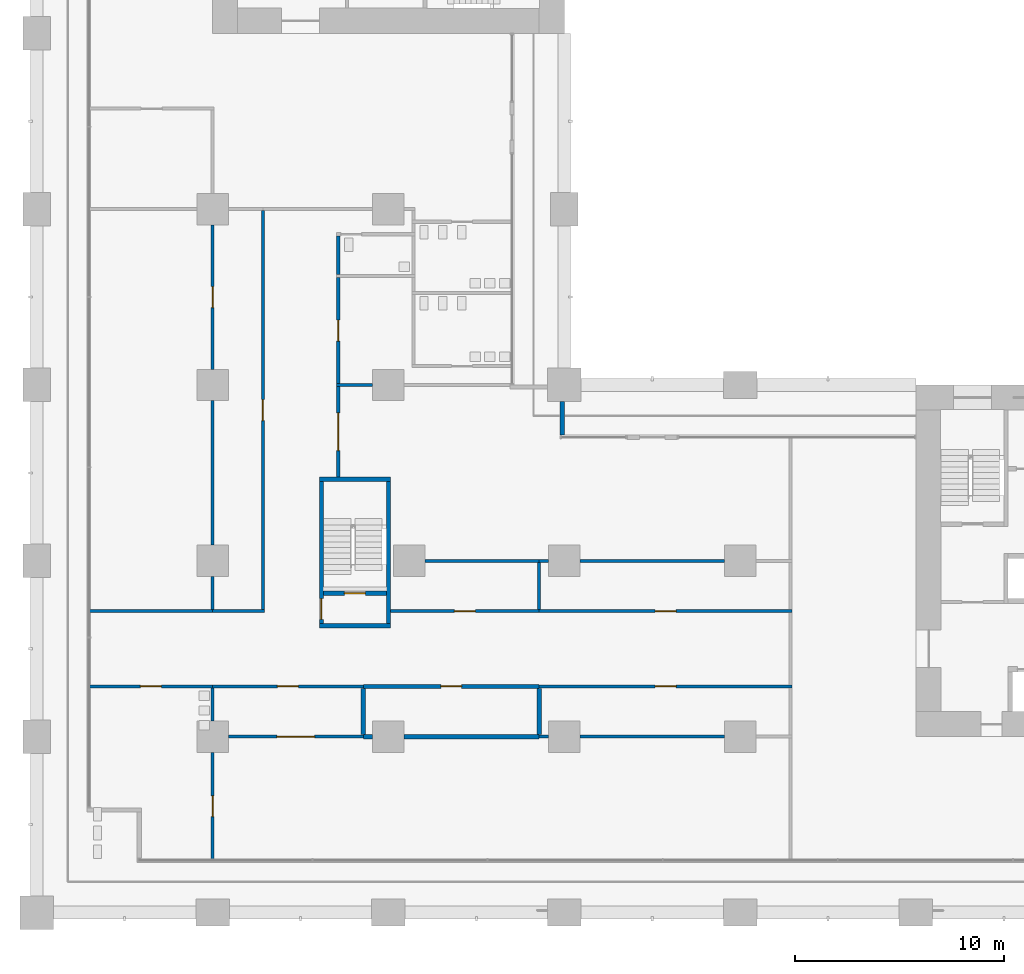
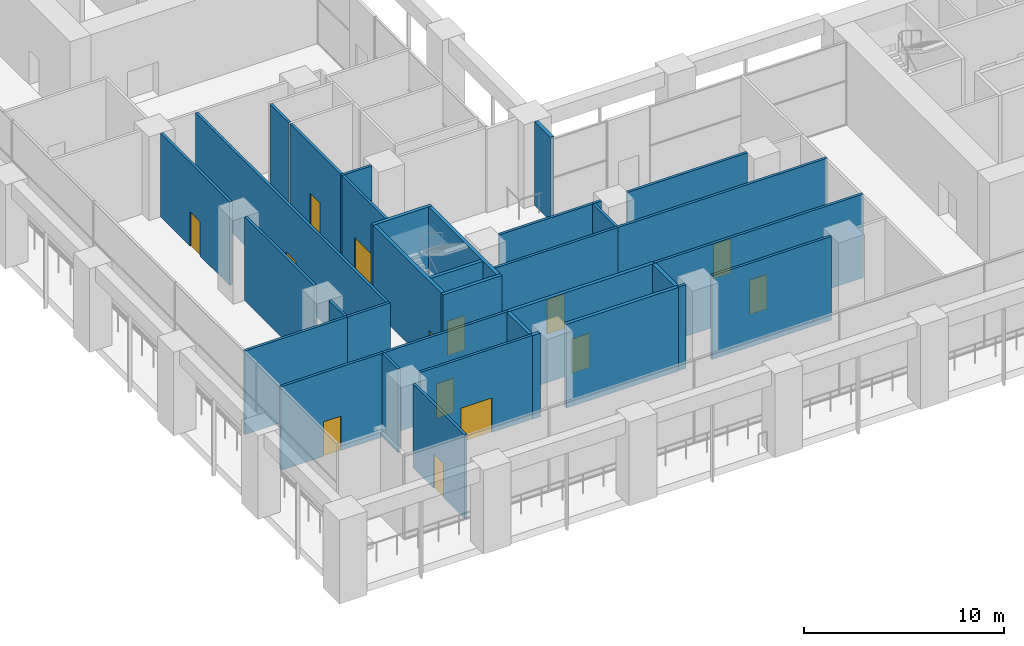
# One storey, part 15 of 33: 35 walls, 14 doors, 14 openings.
"""IFC4 building model written with IfcOpenShell, lengths in metres."""

from ifc_helpers import new_model, si_unit, direction, frame, frame_2d, origin, place, context, subcontext, project, spatial, rectangle, extrude, material, layer, layer_set, type_object, element, fill, save


model = new_model("IFC4")

# Units and contexts
model_context = context("Model", 3, precision=1e-05, world=origin(), true_north=direction((0.0, 1.0)))
body_context = subcontext(model_context, "Body", "Model", "MODEL_VIEW")
ifc_project = project(units=[si_unit("LENGTHUNIT", "METRE"), si_unit("AREAUNIT", "SQUARE_METRE"), si_unit("VOLUMEUNIT", "CUBIC_METRE"), si_unit("PLANEANGLEUNIT", "RADIAN"), si_unit("MASSUNIT", "GRAM", prefix="KILO")], contexts=[model_context])

# Site, building, storey
site_placement = place(None, origin())
site = spatial("IfcSite", under=ifc_project, at=site_placement, CompositionType="ELEMENT")
building_placement = place(site_placement, origin())
building = spatial("IfcBuilding", under=site, at=building_placement, Name="Vermilion Gate Residences", CompositionType="ELEMENT")
storey_placement = place(building_placement, frame((0.0, 0.0, 14.39990234375)))
storey = spatial("IfcBuildingStorey", under=building, at=storey_placement, Name="L02", CompositionType="ELEMENT", Elevation=14.39990234375)

# Walls
ifc_material_1 = material(Name="Insulated steel stud wall with terracotta rainscreen", Category="masonry")
ifc_layer_1 = layer(ifc_material_1, 0.199951171875)
ifc_layer_set_1 = layer_set([ifc_layer_1], Name="EXTERNAL WALL 200 TERRACOTTA RAINSCREEN")
wall_type_1 = type_object("IfcWallType", Name="EXTERNAL WALL 200 TERRACOTTA RAINSCREEN", PredefinedType="SOLIDWALL", material=ifc_layer_set_1)
wall_1_placement = place(storey_placement, frame((25.10009765625, 22.800048828125, 0.0), z_axis=(0.0, 0.0, 1.0), x_axis=(0.0, 1.0, 0.0)))
element("IfcWall", 1, at=wall_1_placement, inside=storey, type_object=wall_type_1, Name="External wall", PredefinedType="SOLIDWALL", context=body_context, shape_type="SweptSolid", body=[
    extrude(rectangle(XDim=1.599853515625, YDim=0.199951171875, at=frame_2d((0.7998046875, 0.0))), origin(), (0.0, 0.0, 1.0), 5.10009765625),
])
ifc_material_2 = material(Name="Concrete blockwork", Category="masonry")
ifc_layer_2 = layer(ifc_material_2, 0.199951171875)
ifc_layer_set_2 = layer_set([ifc_layer_2], Name="FIRE WALL 200 EI 120 (AMENITY)")
wall_type_2 = type_object("IfcWallType", Name="FIRE WALL 200 EI 120 (AMENITY)", PredefinedType="PARTITIONING", material=ifc_layer_set_2)
wall_2_placement = place(storey_placement, frame((15.60009765625, 8.5, 0.0), z_axis=(0.0, 0.0, 1.0), x_axis=(0.0, 1.0, 0.0)))
element("IfcWall", 2, at=wall_2_placement, inside=storey, type_object=wall_type_2, Name="Fire-resisting wall 25", PredefinedType="PARTITIONING", context=body_context, shape_type="SweptSolid", body=[
    extrude(rectangle(XDim=2.199951171875, YDim=0.199951171875, at=frame_2d((1.10009765625, 0.0))), origin(), (0.0, 0.0, 1.0), 5.10009765625),
])
wall_3_placement = place(storey_placement, frame((15.60009765625, 8.39990234375, 0.0), z_axis=(0.0, 0.0, 1.0), x_axis=(1.0, 0.0, 0.0)))
element("IfcWall", 3, at=wall_3_placement, inside=storey, type_object=wall_type_2, Name="Fire-resisting wall 26", PredefinedType="PARTITIONING", context=body_context, shape_type="SweptSolid", body=[
    extrude(rectangle(XDim=0.449951171875, YDim=0.199951171875, at=frame_2d((0.22509765625, 0.0))), origin(), (0.0, 0.0, 1.0), 5.10009765625),
])
wall_4_placement = place(storey_placement, frame((17.550048828125, 8.39990234375, 0.0), z_axis=(0.0, 0.0, 1.0), x_axis=(1.0, 0.0, 0.0)))
element("IfcWall", 4, at=wall_4_placement, inside=storey, type_object=wall_type_2, Name="Fire-resisting wall 27", PredefinedType="PARTITIONING", context=body_context, shape_type="SweptSolid", body=[
    extrude(rectangle(XDim=6.449951171875, YDim=0.199951171875, at=frame_2d((3.22509765625, 0.0))), origin(), (0.0, 0.0, 1.0), 5.10009765625),
])

# Wall, opening, door
wall_5_placement = place(storey_placement, frame((15.60009765625, 10.800048828125, 0.0), z_axis=(0.0, 0.0, 1.0), x_axis=(1.0, 0.0, 0.0)))
wall_5 = element("IfcWall", 5, at=wall_5_placement, inside=storey, type_object=wall_type_2, Name="Fire-resisting wall 28", PredefinedType="PARTITIONING", context=body_context, shape_type="SweptSolid", body=[
    extrude(rectangle(XDim=8.39990234375, YDim=0.199951171875, at=frame_2d((4.199951171875, 0.0))), origin(), (0.0, 0.0, 1.0), 5.10009765625),
])
opening_1_placement = place(wall_5_placement, frame((3.699951171875, 0.0, 0.0)))
opening_1 = element("IfcOpeningElement", 6, at=opening_1_placement, cuts=wall_5, Name="Opening DM02003", PredefinedType="OPENING", context=body_context, shape_type="SweptSolid", body=[
    extrude(rectangle(XDim=1.0, YDim=2.10009765625, at=frame_2d((0.5, 1.050048828125))), frame((0.0, 0.10986328125, 0.0), z_axis=(0.0, -1.0, 0.0), x_axis=(1.0, 0.0, 0.0)), (0.0, 0.0, 1.0), 0.219970703125),
])
ifc_material_3 = material(Name="Steel", Category="steel")
door_type_1 = type_object("IfcDoorType", Name="DOOR 1000 X 2100 FD60 (AMENITY)", OperationType="SINGLE_SWING_LEFT", PredefinedType="DOOR", material=ifc_material_3)
door_1_placement = place(opening_1_placement, origin())
door_1 = element("IfcDoor", 7, at=door_1_placement, inside=storey, type_object=door_type_1, Name="Door L02 3", OperationType="SINGLE_SWING_LEFT", OverallHeight=2.10009765625, OverallWidth=1.0, PredefinedType="DOOR", context=body_context, shape_type="SweptSolid", body=[
    extrude(rectangle(XDim=1.0, YDim=2.10009765625, at=frame_2d((0.5, 1.050048828125))), frame((0.0, 0.02490234375, 0.0), z_axis=(0.0, -1.0, 0.0), x_axis=(1.0, 0.0, 0.0)), (0.0, 0.0, 1.0), 0.050048828125),
])
fill(opening_1, door_1)

# Wall
wall_6_placement = place(storey_placement, frame((24.0, 8.5, 0.0), z_axis=(0.0, 0.0, 1.0), x_axis=(0.0, 1.0, 0.0)))
element("IfcWall", 8, at=wall_6_placement, inside=storey, type_object=wall_type_2, Name="Fire-resisting wall 39", PredefinedType="PARTITIONING", context=body_context, shape_type="SweptSolid", body=[
    extrude(rectangle(XDim=2.199951171875, YDim=0.199951171875, at=frame_2d((1.10009765625, 0.0))), origin(), (0.0, 0.0, 1.0), 5.10009765625),
])

# Wall, opening, door
ifc_material_4 = material(Name="Gypsum board on steel studs", Category="steel")
ifc_layer_3 = layer(ifc_material_4, 0.14990234375)
ifc_layer_set_3 = layer_set([ifc_layer_3], Name="PARTITION 150 EI 60 (AMENITY)")
wall_type_3 = type_object("IfcWallType", Name="PARTITION 150 EI 60 (AMENITY)", PredefinedType="PARTITIONING", material=ifc_layer_set_3)
wall_7_placement = place(storey_placement, frame((2.5, 10.800048828125, 0.0), z_axis=(0.0, 0.0, 1.0), x_axis=(1.0, 0.0, 0.0)))
wall_7 = element("IfcWall", 9, at=wall_7_placement, inside=storey, type_object=wall_type_3, Name="Partition 1", PredefinedType="PARTITIONING", context=body_context, shape_type="SweptSolid", body=[
    extrude(rectangle(XDim=5.89990234375, YDim=0.14990234375, at=frame_2d((2.949951171875, 0.0))), origin(), (0.0, 0.0, 1.0), 5.10009765625),
])
opening_2_placement = place(wall_7_placement, frame((2.449951171875, 0.0, 0.0)))
opening_2 = element("IfcOpeningElement", 10, at=opening_2_placement, cuts=wall_7, Name="Opening DM02005", PredefinedType="OPENING", context=body_context, shape_type="SweptSolid", body=[
    extrude(rectangle(XDim=1.0, YDim=2.10009765625, at=frame_2d((0.5, 1.050048828125))), frame((0.0, 0.0849609375, 0.0), z_axis=(0.0, -1.0, 0.0), x_axis=(1.0, 0.0, 0.0)), (0.0, 0.0, 1.0), 0.169921875),
])
ifc_material_5 = material(Name="Steel", Category="steel")
door_type_2 = type_object("IfcDoorType", Name="DOOR 1000 X 2100 FD30 (AMENITY)", OperationType="SINGLE_SWING_LEFT", PredefinedType="DOOR", material=ifc_material_5)
door_2_placement = place(opening_2_placement, frame((1.0, 0.0, 0.0), z_axis=(0.0, 0.0, 1.0), x_axis=(-1.0, 0.0, 0.0)))
door_2 = element("IfcDoor", 11, at=door_2_placement, inside=storey, type_object=door_type_2, Name="Door L02 5", OperationType="SINGLE_SWING_RIGHT", OverallHeight=2.10009765625, OverallWidth=1.0, PredefinedType="DOOR", context=body_context, shape_type="SweptSolid", body=[
    extrude(rectangle(XDim=1.0, YDim=2.10009765625, at=frame_2d((0.5, 1.050048828125))), frame((0.0, 0.02490234375, 0.0), z_axis=(0.0, -1.0, 0.0), x_axis=(1.0, 0.0, 0.0)), (0.0, 0.0, 1.0), 0.050048828125),
])
fill(opening_2, door_2)

# Wall
wall_8_placement = place(storey_placement, frame((2.5, 14.39990234375, 0.0), z_axis=(0.0, 0.0, 1.0), x_axis=(1.0, 0.0, 0.0)))
element("IfcWall", 12, at=wall_8_placement, inside=storey, type_object=wall_type_3, Name="Partition 2", PredefinedType="PARTITIONING", context=body_context, shape_type="SweptSolid", body=[
    extrude(rectangle(XDim=5.89990234375, YDim=0.14990234375, at=frame_2d((2.949951171875, 0.0))), origin(), (0.0, 0.0, 1.0), 5.10009765625),
])

# Wall, opening, door
wall_9_placement = place(storey_placement, frame((8.39990234375, 2.5, 0.0), z_axis=(0.0, 0.0, 1.0), x_axis=(0.0, 1.0, 0.0)))
wall_9 = element("IfcWall", 13, at=wall_9_placement, inside=storey, type_object=wall_type_3, Name="Partition 5", PredefinedType="PARTITIONING", context=body_context, shape_type="SweptSolid", body=[
    extrude(rectangle(XDim=5.14990234375, YDim=0.14990234375, at=frame_2d((2.574951171875, 0.0))), origin(), (0.0, 0.0, 1.0), 5.10009765625),
])
opening_3_placement = place(wall_9_placement, frame((2.074951171875, 0.0, 0.0)))
opening_3 = element("IfcOpeningElement", 14, at=opening_3_placement, cuts=wall_9, Name="Opening DM02006", PredefinedType="OPENING", context=body_context, shape_type="SweptSolid", body=[
    extrude(rectangle(XDim=1.0, YDim=2.10009765625, at=frame_2d((0.5, 1.050048828125))), frame((0.0, 0.0849609375, 0.0), z_axis=(0.0, -1.0, 0.0), x_axis=(1.0, 0.0, 0.0)), (0.0, 0.0, 1.0), 0.169921875),
])
door_3_placement = place(opening_3_placement, origin())
door_3 = element("IfcDoor", 15, at=door_3_placement, inside=storey, type_object=door_type_2, Name="Door L02 6", OperationType="SINGLE_SWING_LEFT", OverallHeight=2.10009765625, OverallWidth=1.0, PredefinedType="DOOR", context=body_context, shape_type="SweptSolid", body=[
    extrude(rectangle(XDim=1.0, YDim=2.10009765625, at=frame_2d((0.5, 1.050048828125))), frame((0.0, 0.02490234375, 0.0), z_axis=(0.0, -1.0, 0.0), x_axis=(1.0, 0.0, 0.0)), (0.0, 0.0, 1.0), 0.050048828125),
])
fill(opening_3, door_3)

# Wall
wall_10_placement = place(storey_placement, frame((8.39990234375, 9.14990234375, 0.0), z_axis=(0.0, 0.0, 1.0), x_axis=(0.0, 1.0, 0.0)))
element("IfcWall", 16, at=wall_10_placement, inside=storey, type_object=wall_type_3, Name="Partition 6", PredefinedType="PARTITIONING", context=body_context, shape_type="SweptSolid", body=[
    extrude(rectangle(XDim=1.5751953125, YDim=0.14990234375, at=frame_2d((0.78759765625, 0.0))), origin(), (0.0, 0.0, 1.0), 5.10009765625),
])

# Wall, opening, door
wall_11_placement = place(storey_placement, frame((9.14990234375, 8.39990234375, 0.0), z_axis=(0.0, 0.0, 1.0), x_axis=(1.0, 0.0, 0.0)))
wall_11 = element("IfcWall", 17, at=wall_11_placement, inside=storey, type_object=wall_type_3, Name="Partition 7", PredefinedType="PARTITIONING", context=body_context, shape_type="SweptSolid", body=[
    extrude(rectangle(XDim=6.4501953125, YDim=0.14990234375, at=frame_2d((3.22509765625, 0.0))), origin(), (0.0, 0.0, 1.0), 5.10009765625),
])
opening_4_placement = place(wall_11_placement, frame((2.324951171875, 0.0, 0.0)))
opening_4 = element("IfcOpeningElement", 18, at=opening_4_placement, cuts=wall_11, Name="Opening DM02001", PredefinedType="OPENING", context=body_context, shape_type="SweptSolid", body=[
    extrude(rectangle(XDim=1.800048828125, YDim=2.10009765625, at=frame_2d((0.89990234375, 1.050048828125))), frame((0.0, 0.0849609375, 0.0), z_axis=(0.0, -1.0, 0.0), x_axis=(1.0, 0.0, 0.0)), (0.0, 0.0, 1.0), 0.169921875),
])
ifc_material_6 = material(Name="Steel", Category="steel")
door_type_3 = type_object("IfcDoorType", Name="DOUBLE DOOR 1800 X 2100 FD30 (AMENITY)", OperationType="DOUBLE_DOOR_SINGLE_SWING", PredefinedType="DOOR", material=ifc_material_6)
door_4_placement = place(opening_4_placement, origin())
door_4 = element("IfcDoor", 19, at=door_4_placement, inside=storey, type_object=door_type_3, Name="Door L02 1", OperationType="DOUBLE_DOOR_SINGLE_SWING", OverallHeight=2.10009765625, OverallWidth=1.800048828125, PredefinedType="DOOR", context=body_context, shape_type="SweptSolid", body=[
    extrude(rectangle(XDim=1.800048828125, YDim=2.10009765625, at=frame_2d((0.89990234375, 1.050048828125))), frame((0.0, 0.02490234375, 0.0), z_axis=(0.0, -1.0, 0.0), x_axis=(1.0, 0.0, 0.0)), (0.0, 0.0, 1.0), 0.050048828125),
])
fill(opening_4, door_4)

wall_12_placement = place(storey_placement, frame((8.39990234375, 10.800048828125, 0.0), z_axis=(0.0, 0.0, 1.0), x_axis=(1.0, 0.0, 0.0)))
wall_12 = element("IfcWall", 20, at=wall_12_placement, inside=storey, type_object=wall_type_3, Name="Partition 8", PredefinedType="PARTITIONING", context=body_context, shape_type="SweptSolid", body=[
    extrude(rectangle(XDim=7.2001953125, YDim=0.14990234375, at=frame_2d((3.60009765625, 0.0))), origin(), (0.0, 0.0, 1.0), 5.10009765625),
])
opening_5_placement = place(wall_12_placement, frame((3.10009765625, 0.0, 0.0)))
opening_5 = element("IfcOpeningElement", 21, at=opening_5_placement, cuts=wall_12, Name="Opening DM02002", PredefinedType="OPENING", context=body_context, shape_type="SweptSolid", body=[
    extrude(rectangle(XDim=1.0, YDim=2.10009765625, at=frame_2d((0.5, 1.050048828125))), frame((0.0, 0.0849609375, 0.0), z_axis=(0.0, -1.0, 0.0), x_axis=(1.0, 0.0, 0.0)), (0.0, 0.0, 1.0), 0.169921875),
])
door_5_placement = place(opening_5_placement, frame((1.0, 0.0, 0.0), z_axis=(0.0, 0.0, 1.0), x_axis=(-1.0, 0.0, 0.0)))
door_5 = element("IfcDoor", 22, at=door_5_placement, inside=storey, type_object=door_type_2, Name="Door L02 2", OperationType="SINGLE_SWING_RIGHT", OverallHeight=2.10009765625, OverallWidth=1.0, PredefinedType="DOOR", context=body_context, shape_type="SweptSolid", body=[
    extrude(rectangle(XDim=1.0, YDim=2.10009765625, at=frame_2d((0.5, 1.050048828125))), frame((0.0, 0.02490234375, 0.0), z_axis=(0.0, -1.0, 0.0), x_axis=(1.0, 0.0, 0.0)), (0.0, 0.0, 1.0), 0.050048828125),
])
fill(opening_5, door_5)

# Walls
wall_13_placement = place(storey_placement, frame((8.39990234375, 14.47509765625, 0.0), z_axis=(0.0, 0.0, 1.0), x_axis=(0.0, 1.0, 0.0)))
element("IfcWall", 23, at=wall_13_placement, inside=storey, type_object=wall_type_3, Name="Partition 9", PredefinedType="PARTITIONING", context=body_context, shape_type="SweptSolid", body=[
    extrude(rectangle(XDim=1.574951171875, YDim=0.14990234375, at=frame_2d((0.78759765625, 0.0))), origin(), (0.0, 0.0, 1.0), 5.10009765625),
])
wall_14_placement = place(storey_placement, frame((8.39990234375, 17.550048828125, 0.0), z_axis=(0.0, 0.0, 1.0), x_axis=(0.0, 1.0, 0.0)))
element("IfcWall", 24, at=wall_14_placement, inside=storey, type_object=wall_type_3, Name="Partition 10", PredefinedType="PARTITIONING", context=body_context, shape_type="SweptSolid", body=[
    extrude(rectangle(XDim=6.89990234375, YDim=0.14990234375, at=frame_2d((3.449951171875, 0.0))), origin(), (0.0, 0.0, 1.0), 5.10009765625),
])

# Wall, opening, door
wall_15_placement = place(storey_placement, frame((8.39990234375, 25.949951171875, 0.0), z_axis=(0.0, 0.0, 1.0), x_axis=(0.0, 1.0, 0.0)))
wall_15 = element("IfcWall", 25, at=wall_15_placement, inside=storey, type_object=wall_type_3, Name="Partition 11", PredefinedType="PARTITIONING", context=body_context, shape_type="SweptSolid", body=[
    extrude(rectangle(XDim=6.900146484375, YDim=0.14990234375, at=frame_2d((3.4501953125, 0.0))), origin(), (0.0, 0.0, 1.0), 5.10009765625),
])
opening_6_placement = place(wall_15_placement, frame((2.949951171875, 0.0, 0.0)))
opening_6 = element("IfcOpeningElement", 26, at=opening_6_placement, cuts=wall_15, Name="Opening DM02010", PredefinedType="OPENING", context=body_context, shape_type="SweptSolid", body=[
    extrude(rectangle(XDim=1.0, YDim=2.10009765625, at=frame_2d((0.5, 1.050048828125))), frame((0.0, 0.0849609375, 0.0), z_axis=(0.0, -1.0, 0.0), x_axis=(1.0, 0.0, 0.0)), (0.0, 0.0, 1.0), 0.169921875),
])
door_6_placement = place(opening_6_placement, frame((1.0, 0.0, 0.0), z_axis=(0.0, 0.0, 1.0), x_axis=(-1.0, 0.0, 0.0)))
door_6 = element("IfcDoor", 27, at=door_6_placement, inside=storey, type_object=door_type_2, Name="Door L02 10", OperationType="SINGLE_SWING_RIGHT", OverallHeight=2.10009765625, OverallWidth=1.0, PredefinedType="DOOR", context=body_context, shape_type="SweptSolid", body=[
    extrude(rectangle(XDim=1.0, YDim=2.10009765625, at=frame_2d((0.5, 1.050048828125))), frame((0.0, 0.02490234375, 0.0), z_axis=(0.0, -1.0, 0.0), x_axis=(1.0, 0.0, 0.0)), (0.0, 0.0, 1.0), 0.050048828125),
])
fill(opening_6, door_6)

# Wall
wall_16_placement = place(storey_placement, frame((8.39990234375, 14.39990234375, 0.0), z_axis=(0.0, 0.0, 1.0), x_axis=(1.0, 0.0, 0.0)))
element("IfcWall", 28, at=wall_16_placement, inside=storey, type_object=wall_type_3, Name="Partition 12", PredefinedType="PARTITIONING", context=body_context, shape_type="SweptSolid", body=[
    extrude(rectangle(XDim=2.47509765625, YDim=0.14990234375, at=frame_2d((1.237548828125, 0.0))), origin(), (0.0, 0.0, 1.0), 5.10009765625),
])

# Wall, opening, door
wall_17_placement = place(storey_placement, frame((10.800048828125, 14.47509765625, 0.0), z_axis=(0.0, 0.0, 1.0), x_axis=(0.0, 1.0, 0.0)))
wall_17 = element("IfcWall", 29, at=wall_17_placement, inside=storey, type_object=wall_type_3, Name="Partition 15", PredefinedType="PARTITIONING", context=body_context, shape_type="SweptSolid", body=[
    extrude(rectangle(XDim=19.0498046875, YDim=0.14990234375, at=frame_2d((9.52490234375, 0.0))), origin(), (0.0, 0.0, 1.0), 5.10009765625),
])
opening_7_placement = place(wall_17_placement, frame((9.02490234375, 0.0, 0.0)))
opening_7 = element("IfcOpeningElement", 30, at=opening_7_placement, cuts=wall_17, Name="Opening DM02011", PredefinedType="OPENING", context=body_context, shape_type="SweptSolid", body=[
    extrude(rectangle(XDim=1.0, YDim=2.10009765625, at=frame_2d((0.5, 1.050048828125))), frame((0.0, 0.0849609375, 0.0), z_axis=(0.0, -1.0, 0.0), x_axis=(1.0, 0.0, 0.0)), (0.0, 0.0, 1.0), 0.169921875),
])
door_7_placement = place(opening_7_placement, origin())
door_7 = element("IfcDoor", 31, at=door_7_placement, inside=storey, type_object=door_type_2, Name="Door L02 11", OperationType="SINGLE_SWING_LEFT", OverallHeight=2.10009765625, OverallWidth=1.0, PredefinedType="DOOR", context=body_context, shape_type="SweptSolid", body=[
    extrude(rectangle(XDim=1.0, YDim=2.10009765625, at=frame_2d((0.5, 1.050048828125))), frame((0.0, 0.02490234375, 0.0), z_axis=(0.0, -1.0, 0.0), x_axis=(1.0, 0.0, 0.0)), (0.0, 0.0, 1.0), 0.050048828125),
])
fill(opening_7, door_7)

wall_18_placement = place(storey_placement, frame((14.39990234375, 20.800048828125, 0.0), z_axis=(0.0, 0.0, 1.0), x_axis=(0.0, 1.0, 0.0)))
wall_18 = element("IfcWall", 32, at=wall_18_placement, inside=storey, type_object=wall_type_3, Name="Partition 18", PredefinedType="PARTITIONING", context=body_context, shape_type="SweptSolid", body=[
    extrude(rectangle(XDim=4.324951171875, YDim=0.14990234375, at=frame_2d((2.16259765625, 0.0))), origin(), (0.0, 0.0, 1.0), 5.10009765625),
])
opening_8_placement = place(wall_18_placement, frame((1.262451171875, 0.0, 0.0)))
opening_8 = element("IfcOpeningElement", 33, at=opening_8_placement, cuts=wall_18, Name="Opening DM02007", PredefinedType="OPENING", context=body_context, shape_type="SweptSolid", body=[
    extrude(rectangle(XDim=1.800048828125, YDim=2.10009765625, at=frame_2d((0.89990234375, 1.050048828125))), frame((0.0, 0.0849609375, 0.0), z_axis=(0.0, -1.0, 0.0), x_axis=(1.0, 0.0, 0.0)), (0.0, 0.0, 1.0), 0.169921875),
])
door_8_placement = place(opening_8_placement, origin())
door_8 = element("IfcDoor", 34, at=door_8_placement, inside=storey, type_object=door_type_3, Name="Door L02 7", OperationType="DOUBLE_DOOR_SINGLE_SWING", OverallHeight=2.10009765625, OverallWidth=1.800048828125, PredefinedType="DOOR", context=body_context, shape_type="SweptSolid", body=[
    extrude(rectangle(XDim=1.800048828125, YDim=2.10009765625, at=frame_2d((0.89990234375, 1.050048828125))), frame((0.0, 0.02490234375, 0.0), z_axis=(0.0, -1.0, 0.0), x_axis=(1.0, 0.0, 0.0)), (0.0, 0.0, 1.0), 0.050048828125),
])
fill(opening_8, door_8)

wall_19_placement = place(storey_placement, frame((14.39990234375, 25.27490234375, 0.0), z_axis=(0.0, 0.0, 1.0), x_axis=(0.0, 1.0, 0.0)))
wall_19 = element("IfcWall", 35, at=wall_19_placement, inside=storey, type_object=wall_type_3, Name="Partition 19", PredefinedType="PARTITIONING", context=body_context, shape_type="SweptSolid", body=[
    extrude(rectangle(XDim=5.050048828125, YDim=0.14990234375, at=frame_2d((2.52490234375, 0.0))), origin(), (0.0, 0.0, 1.0), 5.10009765625),
])
opening_9_placement = place(wall_19_placement, frame((2.02490234375, 0.0, 0.0)))
opening_9 = element("IfcOpeningElement", 36, at=opening_9_placement, cuts=wall_19, Name="Opening DM02015", PredefinedType="OPENING", context=body_context, shape_type="SweptSolid", body=[
    extrude(rectangle(XDim=1.0, YDim=2.10009765625, at=frame_2d((0.5, 1.050048828125))), frame((0.0, 0.0849609375, 0.0), z_axis=(0.0, -1.0, 0.0), x_axis=(1.0, 0.0, 0.0)), (0.0, 0.0, 1.0), 0.169921875),
])
door_9_placement = place(opening_9_placement, frame((1.0, 0.0, 0.0), z_axis=(0.0, 0.0, 1.0), x_axis=(-1.0, 0.0, 0.0)))
door_9 = element("IfcDoor", 37, at=door_9_placement, inside=storey, type_object=door_type_2, Name="Door L02 15", OperationType="SINGLE_SWING_RIGHT", OverallHeight=2.10009765625, OverallWidth=1.0, PredefinedType="DOOR", context=body_context, shape_type="SweptSolid", body=[
    extrude(rectangle(XDim=1.0, YDim=2.10009765625, at=frame_2d((0.5, 1.050048828125))), frame((0.0, 0.02490234375, 0.0), z_axis=(0.0, -1.0, 0.0), x_axis=(1.0, 0.0, 0.0)), (0.0, 0.0, 1.0), 0.050048828125),
])
fill(opening_9, door_9)

# Walls
wall_20_placement = place(storey_placement, frame((14.324951171875, 25.199951171875, 0.0), z_axis=(0.0, 0.0, 1.0), x_axis=(1.0, 0.0, 0.0)))
element("IfcWall", 38, at=wall_20_placement, inside=storey, type_object=wall_type_3, Name="Partition 20", PredefinedType="PARTITIONING", context=body_context, shape_type="SweptSolid", body=[
    extrude(rectangle(XDim=1.72509765625, YDim=0.14990234375, at=frame_2d((0.862548828125, 0.0))), origin(), (0.0, 0.0, 1.0), 5.10009765625),
])
wall_21_placement = place(storey_placement, frame((14.39990234375, 30.47509765625, 0.0), z_axis=(0.0, 0.0, 1.0), x_axis=(0.0, 1.0, 0.0)))
element("IfcWall", 39, at=wall_21_placement, inside=storey, type_object=wall_type_3, Name="Partition 22", PredefinedType="PARTITIONING", context=body_context, shape_type="SweptSolid", body=[
    extrude(rectangle(XDim=1.849853515625, YDim=0.14990234375, at=frame_2d((0.9248046875, 0.0))), origin(), (0.0, 0.0, 1.0), 5.10009765625),
])

# Wall, opening, door
wall_22_placement = place(storey_placement, frame((16.89990234375, 14.39990234375, 0.0), z_axis=(0.0, 0.0, 1.0), x_axis=(1.0, 0.0, 0.0)))
wall_22 = element("IfcWall", 40, at=wall_22_placement, inside=storey, type_object=wall_type_3, Name="Partition 29", PredefinedType="PARTITIONING", context=body_context, shape_type="SweptSolid", body=[
    extrude(rectangle(XDim=7.10009765625, YDim=0.14990234375, at=frame_2d((3.550048828125, 0.0))), origin(), (0.0, 0.0, 1.0), 5.10009765625),
])
opening_10_placement = place(wall_22_placement, frame((3.050048828125, 0.0, 0.0)))
opening_10 = element("IfcOpeningElement", 41, at=opening_10_placement, cuts=wall_22, Name="Opening DM02008", PredefinedType="OPENING", context=body_context, shape_type="SweptSolid", body=[
    extrude(rectangle(XDim=1.0, YDim=2.10009765625, at=frame_2d((0.5, 1.050048828125))), frame((0.0, 0.0849609375, 0.0), z_axis=(0.0, -1.0, 0.0), x_axis=(1.0, 0.0, 0.0)), (0.0, 0.0, 1.0), 0.169921875),
])
door_10_placement = place(opening_10_placement, origin())
door_10 = element("IfcDoor", 42, at=door_10_placement, inside=storey, type_object=door_type_2, Name="Door L02 8", OperationType="SINGLE_SWING_RIGHT", OverallHeight=2.10009765625, OverallWidth=1.0, PredefinedType="DOOR", context=body_context, shape_type="SweptSolid", body=[
    extrude(rectangle(XDim=1.0, YDim=2.10009765625, at=frame_2d((0.5, 1.050048828125))), frame((0.0, 0.02490234375, 0.0), z_axis=(0.0, -1.0, 0.0), x_axis=(1.0, 0.0, 0.0)), (0.0, 0.0, 1.0), 0.050048828125),
])
fill(opening_10, door_10)

# Walls
wall_23_placement = place(storey_placement, frame((18.550048828125, 16.800048828125, 0.0), z_axis=(0.0, 0.0, 1.0), x_axis=(1.0, 0.0, 0.0)))
element("IfcWall", 43, at=wall_23_placement, inside=storey, type_object=wall_type_3, Name="Partition 30", PredefinedType="PARTITIONING", context=body_context, shape_type="SweptSolid", body=[
    extrude(rectangle(XDim=5.449951171875, YDim=0.14990234375, at=frame_2d((2.72509765625, 0.0))), origin(), (0.0, 0.0, 1.0), 5.10009765625),
])
wall_24_placement = place(storey_placement, frame((24.0, 8.39990234375, 0.0), z_axis=(0.0, 0.0, 1.0), x_axis=(1.0, 0.0, 0.0)))
element("IfcWall", 44, at=wall_24_placement, inside=storey, type_object=wall_type_3, Name="Partition 40", PredefinedType="PARTITIONING", context=body_context, shape_type="SweptSolid", body=[
    extrude(rectangle(XDim=0.449951171875, YDim=0.14990234375, at=frame_2d((0.22509765625, 0.0))), origin(), (0.0, 0.0, 1.0), 5.10009765625),
])
wall_25_placement = place(storey_placement, frame((25.949951171875, 8.39990234375, 0.0), z_axis=(0.0, 0.0, 1.0), x_axis=(1.0, 0.0, 0.0)))
element("IfcWall", 45, at=wall_25_placement, inside=storey, type_object=wall_type_3, Name="Partition 41", PredefinedType="PARTITIONING", context=body_context, shape_type="SweptSolid", body=[
    extrude(rectangle(XDim=6.900146484375, YDim=0.14990234375, at=frame_2d((3.4501953125, 0.0))), origin(), (0.0, 0.0, 1.0), 5.10009765625),
])

# Wall, opening, door
wall_26_placement = place(storey_placement, frame((24.0, 10.800048828125, 0.0), z_axis=(0.0, 0.0, 1.0), x_axis=(1.0, 0.0, 0.0)))
wall_26 = element("IfcWall", 46, at=wall_26_placement, inside=storey, type_object=wall_type_3, Name="Partition 43", PredefinedType="PARTITIONING", context=body_context, shape_type="SweptSolid", body=[
    extrude(rectangle(XDim=12.074951171875, YDim=0.14990234375, at=frame_2d((6.03759765625, 0.0))), origin(), (0.0, 0.0, 1.0), 5.10009765625),
])
opening_11_placement = place(wall_26_placement, frame((5.53759765625, 0.0, 0.0)))
opening_11 = element("IfcOpeningElement", 47, at=opening_11_placement, cuts=wall_26, Name="Opening DM02004", PredefinedType="OPENING", context=body_context, shape_type="SweptSolid", body=[
    extrude(rectangle(XDim=1.0, YDim=2.10009765625, at=frame_2d((0.5, 1.050048828125))), frame((0.0, 0.0849609375, 0.0), z_axis=(0.0, -1.0, 0.0), x_axis=(1.0, 0.0, 0.0)), (0.0, 0.0, 1.0), 0.169921875),
])
door_11_placement = place(opening_11_placement, frame((1.0, 0.0, 0.0), z_axis=(0.0, 0.0, 1.0), x_axis=(-1.0, 0.0, 0.0)))
door_11 = element("IfcDoor", 48, at=door_11_placement, inside=storey, type_object=door_type_2, Name="Door L02 4", OperationType="SINGLE_SWING_RIGHT", OverallHeight=2.10009765625, OverallWidth=1.0, PredefinedType="DOOR", context=body_context, shape_type="SweptSolid", body=[
    extrude(rectangle(XDim=1.0, YDim=2.10009765625, at=frame_2d((0.5, 1.050048828125))), frame((0.0, 0.02490234375, 0.0), z_axis=(0.0, -1.0, 0.0), x_axis=(1.0, 0.0, 0.0)), (0.0, 0.0, 1.0), 0.050048828125),
])
fill(opening_11, door_11)

# Wall
wall_27_placement = place(storey_placement, frame((24.0, 14.47509765625, 0.0), z_axis=(0.0, 0.0, 1.0), x_axis=(0.0, 1.0, 0.0)))
element("IfcWall", 49, at=wall_27_placement, inside=storey, type_object=wall_type_3, Name="Partition 44", PredefinedType="PARTITIONING", context=body_context, shape_type="SweptSolid", body=[
    extrude(rectangle(XDim=2.25, YDim=0.14990234375, at=frame_2d((1.125, 0.0))), origin(), (0.0, 0.0, 1.0), 5.10009765625),
])

# Wall, opening, door
wall_28_placement = place(storey_placement, frame((24.0, 14.39990234375, 0.0), z_axis=(0.0, 0.0, 1.0), x_axis=(1.0, 0.0, 0.0)))
wall_28 = element("IfcWall", 50, at=wall_28_placement, inside=storey, type_object=wall_type_3, Name="Partition 45", PredefinedType="PARTITIONING", context=body_context, shape_type="SweptSolid", body=[
    extrude(rectangle(XDim=12.074951171875, YDim=0.14990234375, at=frame_2d((6.03759765625, 0.0))), origin(), (0.0, 0.0, 1.0), 5.10009765625),
])
opening_12_placement = place(wall_28_placement, frame((5.53759765625, 0.0, 0.0)))
opening_12 = element("IfcOpeningElement", 51, at=opening_12_placement, cuts=wall_28, Name="Opening DM02009", PredefinedType="OPENING", context=body_context, shape_type="SweptSolid", body=[
    extrude(rectangle(XDim=1.0, YDim=2.10009765625, at=frame_2d((0.5, 1.050048828125))), frame((0.0, 0.0849609375, 0.0), z_axis=(0.0, -1.0, 0.0), x_axis=(1.0, 0.0, 0.0)), (0.0, 0.0, 1.0), 0.169921875),
])
door_12_placement = place(opening_12_placement, origin())
door_12 = element("IfcDoor", 52, at=door_12_placement, inside=storey, type_object=door_type_2, Name="Door L02 9", OperationType="SINGLE_SWING_LEFT", OverallHeight=2.10009765625, OverallWidth=1.0, PredefinedType="DOOR", context=body_context, shape_type="SweptSolid", body=[
    extrude(rectangle(XDim=1.0, YDim=2.10009765625, at=frame_2d((0.5, 1.050048828125))), frame((0.0, 0.02490234375, 0.0), z_axis=(0.0, -1.0, 0.0), x_axis=(1.0, 0.0, 0.0)), (0.0, 0.0, 1.0), 0.050048828125),
])
fill(opening_12, door_12)

# Walls
wall_29_placement = place(storey_placement, frame((24.0, 16.800048828125, 0.0), z_axis=(0.0, 0.0, 1.0), x_axis=(1.0, 0.0, 0.0)))
element("IfcWall", 53, at=wall_29_placement, inside=storey, type_object=wall_type_3, Name="Partition 46", PredefinedType="PARTITIONING", context=body_context, shape_type="SweptSolid", body=[
    extrude(rectangle(XDim=0.449951171875, YDim=0.14990234375, at=frame_2d((0.22509765625, 0.0))), origin(), (0.0, 0.0, 1.0), 5.10009765625),
])
wall_30_placement = place(storey_placement, frame((25.949951171875, 16.800048828125, 0.0), z_axis=(0.0, 0.0, 1.0), x_axis=(1.0, 0.0, 0.0)))
element("IfcWall", 54, at=wall_30_placement, inside=storey, type_object=wall_type_3, Name="Partition 47", PredefinedType="PARTITIONING", context=body_context, shape_type="SweptSolid", body=[
    extrude(rectangle(XDim=6.900146484375, YDim=0.14990234375, at=frame_2d((3.4501953125, 0.0))), origin(), (0.0, 0.0, 1.0), 5.10009765625),
])

# Wall, opening, door
ifc_material_7 = material(Name="Concrete C60", Category="concrete")
ifc_layer_4 = layer(ifc_material_7, 0.199951171875)
ifc_layer_set_4 = layer_set([ifc_layer_4], Name="RC CORE INTERNAL WALL 200 C60")
wall_type_4 = type_object("IfcWallType", Name="RC CORE INTERNAL WALL 200 C60", PredefinedType="SHEAR", material=ifc_layer_set_4)
wall_31_placement = place(storey_placement, frame((13.60009765625, 13.800048828125, 0.0), z_axis=(0.0, 0.0, 1.0), x_axis=(0.0, 1.0, 0.0)))
wall_31 = element("IfcWall", 55, at=wall_31_placement, inside=storey, type_object=wall_type_4, Name="Core internal wall C02-W", PredefinedType="SHEAR", context=body_context, shape_type="SweptSolid", body=[
    extrude(rectangle(XDim=6.800048828125, YDim=0.199951171875, at=frame_2d((3.39990234375, 0.0))), origin(), (0.0, 0.0, 1.0), 5.10009765625),
])
opening_13_placement = place(wall_31_placement, frame((0.199951171875, 0.0, 0.0)))
opening_13 = element("IfcOpeningElement", 56, at=opening_13_placement, cuts=wall_31, Name="Opening DK02201", PredefinedType="OPENING", context=body_context, shape_type="SweptSolid", body=[
    extrude(rectangle(XDim=1.0, YDim=2.10009765625, at=frame_2d((0.5, 1.050048828125))), frame((0.0, 0.10986328125, 0.0), z_axis=(0.0, -1.0, 0.0), x_axis=(1.0, 0.0, 0.0)), (0.0, 0.0, 1.0), 0.219970703125),
])
ifc_material_8 = material(Name="Steel", Category="steel")
door_type_4 = type_object("IfcDoorType", Name="FIRE DOOR FD60 1000 X 2100", OperationType="SINGLE_SWING_LEFT", PredefinedType="DOOR", material=ifc_material_8)
door_13_placement = place(opening_13_placement, origin())
door_13 = element("IfcDoor", 57, at=door_13_placement, inside=storey, type_object=door_type_4, Name="Stair vestibule door C02", OperationType="SINGLE_SWING_LEFT", OverallHeight=2.10009765625, OverallWidth=1.0, PredefinedType="DOOR", context=body_context, shape_type="SweptSolid", body=[
    extrude(rectangle(XDim=1.0, YDim=2.10009765625, at=frame_2d((0.5, 1.050048828125))), frame((0.0, 0.02490234375, 0.0), z_axis=(0.0, -1.0, 0.0), x_axis=(1.0, 0.0, 0.0)), (0.0, 0.0, 1.0), 0.050048828125),
])
fill(opening_13, door_13)

# Walls
wall_32_placement = place(storey_placement, frame((16.800048828125, 13.800048828125, 0.0), z_axis=(0.0, 0.0, 1.0), x_axis=(0.0, 1.0, 0.0)))
element("IfcWall", 58, at=wall_32_placement, inside=storey, type_object=wall_type_4, Name="Core internal wall C02-E", PredefinedType="SHEAR", context=body_context, shape_type="SweptSolid", body=[
    extrude(rectangle(XDim=6.800048828125, YDim=0.199951171875, at=frame_2d((3.39990234375, 0.0))), origin(), (0.0, 0.0, 1.0), 5.10009765625),
])
for number, where, z_axis, x_axis, name in (
    (59, (13.5, 13.699951171875, 0.0), (0.0, 0.0, 1.0), (1.0, 0.0, 0.0), "Core internal wall C02-S"),
    (60, (13.5, 20.699951171875, 0.0), (0.0, 0.0, 1.0), (1.0, 0.0, 0.0), "Core internal wall C02-N"),
):
    element("IfcWall", number, at=place(storey_placement, frame(where, z_axis=z_axis, x_axis=x_axis)), inside=storey, type_object=wall_type_4, Name=name, PredefinedType="SHEAR", context=body_context, shape_type="SweptSolid", body=[
        extrude(rectangle(XDim=3.39990234375, YDim=0.199951171875, at=frame_2d((1.699951171875, 0.0))), origin(), (0.0, 0.0, 1.0), 5.10009765625),
    ])

# Wall, opening, door
wall_33_placement = place(storey_placement, frame((13.699951171875, 15.25, 0.0), z_axis=(0.0, 0.0, 1.0), x_axis=(1.0, 0.0, 0.0)))
wall_33 = element("IfcWall", 61, at=wall_33_placement, inside=storey, type_object=wall_type_4, Name="Core internal wall C02-P", PredefinedType="SHEAR", context=body_context, shape_type="SweptSolid", body=[
    extrude(rectangle(XDim=3.0, YDim=0.199951171875, at=frame_2d((1.5, 0.0))), origin(), (0.0, 0.0, 1.0), 5.10009765625),
])
opening_14_placement = place(wall_33_placement, frame((1.0, 0.0, 0.0)))
opening_14 = element("IfcOpeningElement", 62, at=opening_14_placement, cuts=wall_33, Name="Opening DK02202", PredefinedType="OPENING", context=body_context, shape_type="SweptSolid", body=[
    extrude(rectangle(XDim=1.0, YDim=2.10009765625, at=frame_2d((0.5, 1.050048828125))), frame((0.0, 0.10986328125, 0.0), z_axis=(0.0, -1.0, 0.0), x_axis=(1.0, 0.0, 0.0)), (0.0, 0.0, 1.0), 0.219970703125),
])
door_14_placement = place(opening_14_placement, origin())
door_14 = element("IfcDoor", 63, at=door_14_placement, inside=storey, type_object=door_type_4, Name="Stair door C02", OperationType="SINGLE_SWING_LEFT", OverallHeight=2.10009765625, OverallWidth=1.0, PredefinedType="DOOR", context=body_context, shape_type="SweptSolid", body=[
    extrude(rectangle(XDim=1.0, YDim=2.10009765625, at=frame_2d((0.5, 1.050048828125))), frame((0.0, 0.02490234375, 0.0), z_axis=(0.0, -1.0, 0.0), x_axis=(1.0, 0.0, 0.0)), (0.0, 0.0, 1.0), 0.050048828125),
])
fill(opening_14, door_14)

save(model, "model.ifc")
